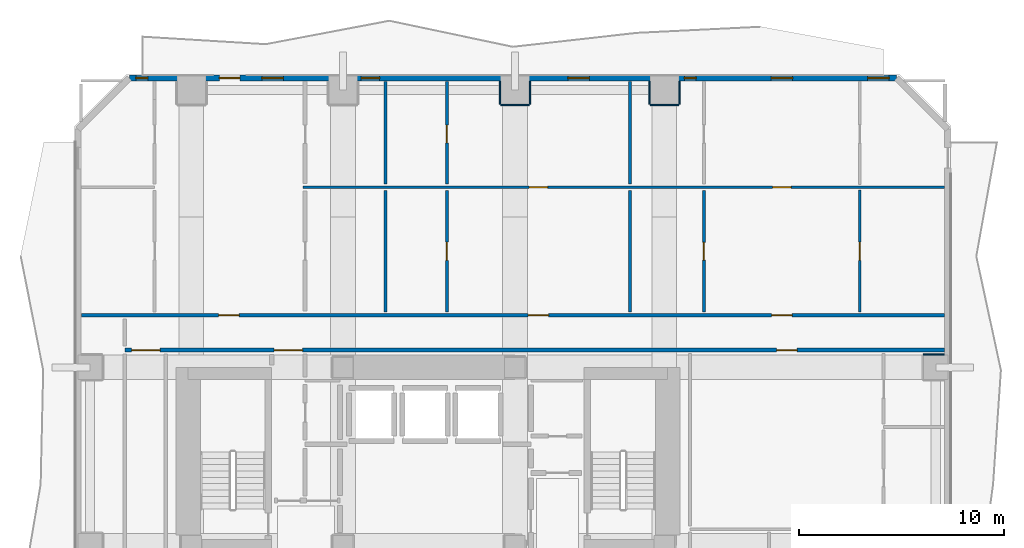
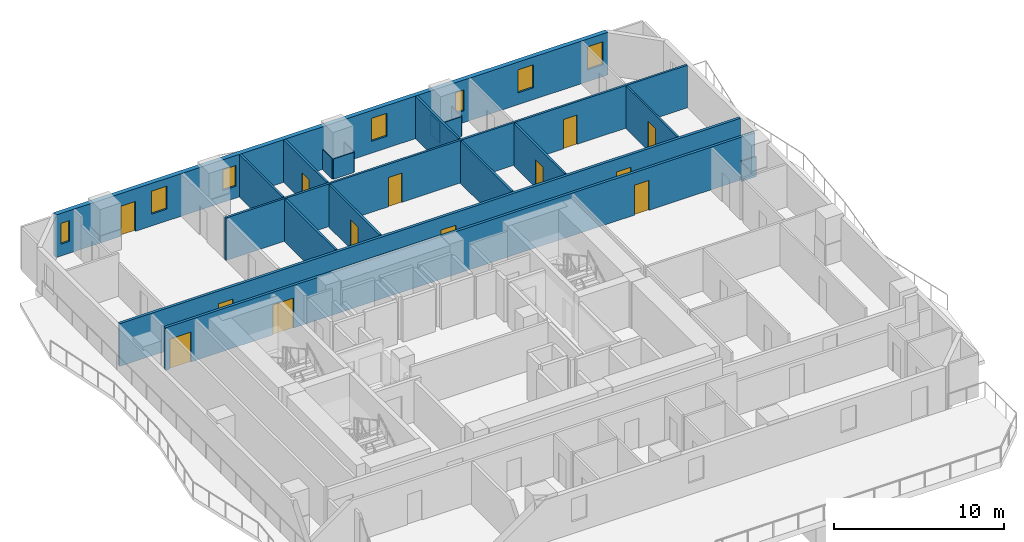
# One storey, part 6 of 11: 19 walls, 13 doors, 7 windows, 20 openings.
"""IFC4 building model written with IfcOpenShell, lengths in metres."""

from ifc_helpers import new_model, si_unit, direction, frame, frame_2d, origin, place, context, subcontext, project, spatial, rectangle, extrude, material, layer, layer_set, type_object, element, fill, save


model = new_model("IFC4")

# Units and contexts
model_context = context("Model", 3, precision=1e-05, world=origin(), true_north=direction((0.0, 1.0)))
body_context = subcontext(model_context, "Body", "Model", "MODEL_VIEW")
ifc_project = project(units=[si_unit("LENGTHUNIT", "METRE"), si_unit("AREAUNIT", "SQUARE_METRE"), si_unit("VOLUMEUNIT", "CUBIC_METRE"), si_unit("PLANEANGLEUNIT", "RADIAN"), si_unit("MASSUNIT", "GRAM", prefix="KILO")], contexts=[model_context])

# Site, building, storey
site_placement = place(None, origin())
site = spatial("IfcSite", under=ifc_project, at=site_placement, CompositionType="ELEMENT")
building_placement = place(site_placement, origin())
building = spatial("IfcBuilding", under=site, at=building_placement, Name="Solanera Arch Residences", CompositionType="ELEMENT")
storey_placement = place(building_placement, frame((0.0, 0.0, 61.840087890625)))
storey = spatial("IfcBuildingStorey", under=building, at=storey_placement, Name="L17", CompositionType="ELEMENT", Elevation=61.840087890625)

# Walls
ifc_material_1 = material(Name="Fire-Rated Gypsum Stud Partition", Category="gypsum")
ifc_layer_1 = layer(ifc_material_1, 0.06005859375)
ifc_layer_set_1 = layer_set([ifc_layer_1], Name="Fire-Rated Gypsum Stud Partition")
wall_type_1 = type_object("IfcWallType", Name="Column Acoustic Furring Wall 60", PredefinedType="PARTITIONING", material=ifc_layer_set_1)
wall_1_placement = place(storey_placement, frame((28.5, 52.218017578125, 0.0), z_axis=(0.0, 0.0, 1.0), x_axis=(1.0, 0.0, 0.0)))
element("IfcWall", 1, at=wall_1_placement, inside=storey, type_object=wall_type_1, Name="L17 Column Furring 14S", PredefinedType="PARTITIONING", context=body_context, shape_type="SweptSolid", body=[
    extrude(rectangle(XDim=1.39990234375, YDim=0.06005859375, at=frame_2d((0.699951171875, 0.0))), origin(), (0.0, 0.0, 1.0), 1.449951171875),
])
for number, where, z_axis, x_axis, name in (
    (2, (28.468017578125, 52.25, 0.0), (0.0, 0.0, 1.0), (0.0, 1.0, 0.0), "L17 Column Furring 14W"),
    (3, (29.931884765625, 52.25, 0.0), (0.0, 0.0, 1.0), (0.0, 1.0, 0.0), "L17 Column Furring 14E"),
):
    element("IfcWall", number, at=place(storey_placement, frame(where, z_axis=z_axis, x_axis=x_axis)), inside=storey, type_object=wall_type_1, Name=name, PredefinedType="PARTITIONING", context=body_context, shape_type="SweptSolid", body=[
        extrude(rectangle(XDim=1.1201171875, YDim=0.06005859375, at=frame_2d((0.56005859375, 0.0))), origin(), (0.0, 0.0, 1.0), 1.449951171875),
    ])
wall_2_placement = place(storey_placement, frame((35.800048828125, 52.218017578125, 0.0), z_axis=(0.0, 0.0, 1.0), x_axis=(1.0, 0.0, 0.0)))
element("IfcWall", 4, at=wall_2_placement, inside=storey, type_object=wall_type_1, Name="L17 Column Furring 16S", PredefinedType="PARTITIONING", context=body_context, shape_type="SweptSolid", body=[
    extrude(rectangle(XDim=1.39990234375, YDim=0.06005859375, at=frame_2d((0.699951171875, 0.0))), origin(), (0.0, 0.0, 1.0), 1.449951171875),
])
for number, where, z_axis, x_axis, name in (
    (5, (35.76806640625, 52.25, 0.0), (0.0, 0.0, 1.0), (0.0, 1.0, 0.0), "L17 Column Furring 16W"),
    (6, (37.23193359375, 52.25, 0.0), (0.0, 0.0, 1.0), (0.0, 1.0, 0.0), "L17 Column Furring 16E"),
):
    element("IfcWall", number, at=place(storey_placement, frame(where, z_axis=z_axis, x_axis=x_axis)), inside=storey, type_object=wall_type_1, Name=name, PredefinedType="PARTITIONING", context=body_context, shape_type="SweptSolid", body=[
        extrude(rectangle(XDim=1.1201171875, YDim=0.06005859375, at=frame_2d((0.56005859375, 0.0))), origin(), (0.0, 0.0, 1.0), 1.449951171875),
    ])
wall_3_placement = place(storey_placement, frame((49.14990234375, 40.031982421875, 0.0), z_axis=(0.0, 0.0, 1.0), x_axis=(1.0, 0.0, 0.0)))
element("IfcWall", 7, at=wall_3_placement, inside=storey, type_object=wall_type_1, Name="L17 Column Furring 22N", PredefinedType="PARTITIONING", context=body_context, shape_type="SweptSolid", body=[
    extrude(rectangle(XDim=1.02001953125, YDim=0.06005859375, at=frame_2d((0.510009765625, 0.0))), origin(), (0.0, 0.0, 1.0), 1.449951171875),
])

# Wall, openings, doors
ifc_material_2 = material(Name="Autoclaved Aerated Concrete Blockwork", Category="masonry")
ifc_layer_2 = layer(ifc_material_2, 0.179931640625)
ifc_layer_set_2 = layer_set([ifc_layer_2], Name="Autoclaved Aerated Concrete Blockwork")
wall_type_2 = type_object("IfcWallType", Name="Corridor Fire Partition 180", PredefinedType="PARTITIONING", material=ifc_layer_set_2)
wall_4_placement = place(storey_placement, frame((10.14990234375, 40.25, 0.0), z_axis=(0.0, 0.0, 1.0), x_axis=(1.0, 0.0, 0.0)))
wall_4 = element("IfcWall", 8, at=wall_4_placement, inside=storey, type_object=wall_type_2, Name="L17 Interior Partition H10", PredefinedType="PARTITIONING", context=body_context, shape_type="SweptSolid", body=[
    extrude(rectangle(XDim=40.023193359375, YDim=0.179931640625, at=frame_2d((20.01171875, 0.0))), origin(), (0.0, 0.0, 1.0), 3.059814453125),
])
opening_1_placement = place(wall_4_placement, frame((7.284912109375, 0.0, 0.0)))
opening_1 = element("IfcOpeningElement", 9, at=opening_1_placement, cuts=wall_4, Name="Opening DF-03", PredefinedType="OPENING", context=body_context, shape_type="SweptSolid", body=[
    extrude(rectangle(XDim=1.39990234375, YDim=2.14990234375, at=frame_2d((0.699951171875, 1.074951171875))), frame((0.0, 0.10009765625, 0.0), z_axis=(0.0, -1.0, 0.0), x_axis=(1.0, 0.0, 0.0)), (0.0, 0.0, 1.0), 0.1999),
])
opening_2_placement = place(wall_4_placement, frame((0.323974609375, 0.0, 0.0)))
opening_2 = element("IfcOpeningElement", 10, at=opening_2_placement, cuts=wall_4, Name="Opening DF-03", PredefinedType="OPENING", context=body_context, shape_type="SweptSolid", body=[
    extrude(rectangle(XDim=1.39990234375, YDim=2.14990234375, at=frame_2d((0.699951171875, 1.074951171875))), frame((0.0, 0.10009765625, 0.0), z_axis=(0.0, -1.0, 0.0), x_axis=(1.0, 0.0, 0.0)), (0.0, 0.0, 1.0), 0.1999),
])
opening_3_placement = place(wall_4_placement, frame((31.824951171875, 0.0, 0.0)))
opening_3 = element("IfcOpeningElement", 11, at=opening_3_placement, cuts=wall_4, Name="Opening DI-01", PredefinedType="OPENING", context=body_context, shape_type="SweptSolid", body=[
    extrude(rectangle(XDim=1.0, YDim=2.14990234375, at=frame_2d((0.5, 1.074951171875))), frame((0.0, 0.10009765625, 0.0), z_axis=(0.0, -1.0, 0.0), x_axis=(1.0, 0.0, 0.0)), (0.0, 0.0, 1.0), 0.1999),
])
ifc_material_3 = material(Name="Fire-Rated Architectural Hardwood", Category="wood")
door_type_1 = type_object("IfcDoorType", Name="Corridor Smoke Door DF-03", OperationType="NOTDEFINED", PredefinedType="DOOR", material=ifc_material_3)
door_1_placement = place(opening_1_placement, origin())
door_1 = element("IfcDoor", 12, at=door_1_placement, inside=storey, type_object=door_type_1, Name="DR-L17-IN-009", OperationType="SINGLE_SWING_LEFT", OverallHeight=2.14990234375, OverallWidth=1.39990234375, PredefinedType="DOOR", context=body_context, shape_type="SweptSolid", body=[
    extrude(rectangle(XDim=1.39990234375, YDim=2.14990234375, at=frame_2d((0.699951171875, 1.074951171875))), frame((0.0, 0.02490234375, 0.0), z_axis=(0.0, -1.0, 0.0), x_axis=(1.0, 0.0, 0.0)), (0.0, 0.0, 1.0), 0.050048828125),
])
fill(opening_1, door_1)
door_2_placement = place(opening_2_placement, origin())
door_2 = element("IfcDoor", 13, at=door_2_placement, inside=storey, type_object=door_type_1, Name="DR-L17-IN-011", OperationType="SINGLE_SWING_LEFT", OverallHeight=2.14990234375, OverallWidth=1.39990234375, PredefinedType="DOOR", context=body_context, shape_type="SweptSolid", body=[
    extrude(rectangle(XDim=1.39990234375, YDim=2.14990234375, at=frame_2d((0.699951171875, 1.074951171875))), frame((0.0, 0.02490234375, 0.0), z_axis=(0.0, -1.0, 0.0), x_axis=(1.0, 0.0, 0.0)), (0.0, 0.0, 1.0), 0.050048828125),
])
fill(opening_2, door_2)
ifc_material_4 = material(Name="Fire-Rated Architectural Hardwood", Category="wood")
door_type_2 = type_object("IfcDoorType", Name="Unit Entrance Fire Door DI-01", OperationType="NOTDEFINED", PredefinedType="DOOR", material=ifc_material_4)
door_3_placement = place(opening_3_placement, origin())
door_3 = element("IfcDoor", 14, at=door_3_placement, inside=storey, type_object=door_type_2, Name="DR-L17-IN-046", OperationType="SINGLE_SWING_RIGHT", OverallHeight=2.14990234375, OverallWidth=1.0, PredefinedType="DOOR", context=body_context, shape_type="SweptSolid", body=[
    extrude(rectangle(XDim=1.0, YDim=2.14990234375, at=frame_2d((0.5, 1.074951171875))), frame((0.0, 0.02490234375, 0.0), z_axis=(0.0, -1.0, 0.0), x_axis=(1.0, 0.0, 0.0)), (0.0, 0.0, 1.0), 0.050048828125),
])
fill(opening_3, door_3)

wall_5_placement = place(storey_placement, frame((8.027099609375, 41.949951171875, 0.0), z_axis=(0.0, 0.0, 1.0), x_axis=(1.0, 0.0, 0.0)))
wall_5 = element("IfcWall", 15, at=wall_5_placement, inside=storey, type_object=wall_type_2, Name="L17 Interior Partition H11", PredefinedType="PARTITIONING", context=body_context, shape_type="SweptSolid", body=[
    extrude(rectangle(XDim=42.14599609375, YDim=0.179931640625, at=frame_2d((21.072998046875, 0.0))), origin(), (0.0, 0.0, 1.0), 3.059814453125),
])
opening_4_placement = place(wall_5_placement, frame((6.702880859375, 0.0, 0.0)))
opening_4 = element("IfcOpeningElement", 16, at=opening_4_placement, cuts=wall_5, Name="Opening DI-01", PredefinedType="OPENING", context=body_context, shape_type="SweptSolid", body=[
    extrude(rectangle(XDim=1.0, YDim=2.14990234375, at=frame_2d((0.5, 1.074951171875))), frame((0.0, 0.10009765625, 0.0), z_axis=(0.0, -1.0, 0.0), x_axis=(1.0, 0.0, 0.0)), (0.0, 0.0, 1.0), 0.1999),
])
opening_5_placement = place(wall_5_placement, frame((21.820068359375, 0.0, 0.0)))
opening_5 = element("IfcOpeningElement", 17, at=opening_5_placement, cuts=wall_5, Name="Opening DI-01", PredefinedType="OPENING", context=body_context, shape_type="SweptSolid", body=[
    extrude(rectangle(XDim=1.0, YDim=2.14990234375, at=frame_2d((0.5, 1.074951171875))), frame((0.0, 0.10009765625, 0.0), z_axis=(0.0, -1.0, 0.0), x_axis=(1.0, 0.0, 0.0)), (0.0, 0.0, 1.0), 0.1999),
])
opening_6_placement = place(wall_5_placement, frame((33.7080078125, 0.0, 0.0)))
opening_6 = element("IfcOpeningElement", 18, at=opening_6_placement, cuts=wall_5, Name="Opening DI-01", PredefinedType="OPENING", context=body_context, shape_type="SweptSolid", body=[
    extrude(rectangle(XDim=1.0, YDim=2.14990234375, at=frame_2d((0.5, 1.074951171875))), frame((0.0, 0.10009765625, 0.0), z_axis=(0.0, -1.0, 0.0), x_axis=(1.0, 0.0, 0.0)), (0.0, 0.0, 1.0), 0.1999),
])
door_4_placement = place(opening_4_placement, origin())
door_4 = element("IfcDoor", 19, at=door_4_placement, inside=storey, type_object=door_type_2, Name="DR-L17-IN-027", OperationType="SINGLE_SWING_LEFT", OverallHeight=2.14990234375, OverallWidth=1.0, PredefinedType="DOOR", context=body_context, shape_type="SweptSolid", body=[
    extrude(rectangle(XDim=1.0, YDim=2.14990234375, at=frame_2d((0.5, 1.074951171875))), frame((0.0, 0.02490234375, 0.0), z_axis=(0.0, -1.0, 0.0), x_axis=(1.0, 0.0, 0.0)), (0.0, 0.0, 1.0), 0.050048828125),
])
fill(opening_4, door_4)
door_5_placement = place(opening_5_placement, origin())
door_5 = element("IfcDoor", 20, at=door_5_placement, inside=storey, type_object=door_type_2, Name="DR-L17-IN-032", OperationType="SINGLE_SWING_RIGHT", OverallHeight=2.14990234375, OverallWidth=1.0, PredefinedType="DOOR", context=body_context, shape_type="SweptSolid", body=[
    extrude(rectangle(XDim=1.0, YDim=2.14990234375, at=frame_2d((0.5, 1.074951171875))), frame((0.0, 0.02490234375, 0.0), z_axis=(0.0, -1.0, 0.0), x_axis=(1.0, 0.0, 0.0)), (0.0, 0.0, 1.0), 0.050048828125),
])
fill(opening_5, door_5)
door_6_placement = place(opening_6_placement, origin())
door_6 = element("IfcDoor", 21, at=door_6_placement, inside=storey, type_object=door_type_2, Name="DR-L17-IN-036", OperationType="SINGLE_SWING_RIGHT", OverallHeight=2.14990234375, OverallWidth=1.0, PredefinedType="DOOR", context=body_context, shape_type="SweptSolid", body=[
    extrude(rectangle(XDim=1.0, YDim=2.14990234375, at=frame_2d((0.5, 1.074951171875))), frame((0.0, 0.02490234375, 0.0), z_axis=(0.0, -1.0, 0.0), x_axis=(1.0, 0.0, 0.0)), (0.0, 0.0, 1.0), 0.050048828125),
])
fill(opening_6, door_6)

# Wall, openings, door, windows
ifc_material_5 = material(Name="Precast Concrete C35/45", Category="concrete")
ifc_layer_3 = layer(ifc_material_5, 0.300048828125)
ifc_layer_set_3 = layer_set([ifc_layer_3], Name="Precast Concrete C35/45")
wall_type_3 = type_object("IfcWallType", Name="Exterior Wall Precast Masonry-Frame 300", PredefinedType="STANDARD", material=ifc_layer_set_3)
wall_6_placement = place(storey_placement, frame((10.364990234375, 53.534912109375, 0.0), z_axis=(0.0, 0.0, 1.0), x_axis=(1.0, 0.0, 0.0)))
wall_6 = element("IfcWall", 22, at=wall_6_placement, inside=storey, type_object=wall_type_3, Name="L17 Tower Exterior Precast Masonry-Frame Wall N", PredefinedType="STANDARD", context=body_context, shape_type="SweptSolid", body=[
    extrude(rectangle(XDim=37.469970703125, YDim=0.300048828125, at=frame_2d((18.73486328125, 0.0))), origin(), (0.0, 0.0, 1.0), 3.059814453125),
])
opening_7_placement = place(wall_6_placement, frame((4.403076171875, 0.0, 0.0)))
opening_7 = element("IfcOpeningElement", 23, at=opening_7_placement, cuts=wall_6, Name="Opening DB-01", PredefinedType="OPENING", context=body_context, shape_type="SweptSolid", body=[
    extrude(rectangle(XDim=1.0, YDim=2.14990234375, at=frame_2d((0.5, 1.074951171875))), frame((0.0, 0.159912109375, 0.0), z_axis=(0.0, -1.0, 0.0), x_axis=(1.0, 0.0, 0.0)), (0.0, 0.0, 1.0), 0.32),
])
opening_8_placement = place(wall_6_placement, frame((6.471923828125, 0.0, 0.85009765625)))
opening_8 = element("IfcOpeningElement", 24, at=opening_8_placement, cuts=wall_6, Name="Opening W-07", PredefinedType="OPENING", context=body_context, shape_type="SweptSolid", body=[
    extrude(rectangle(XDim=1.050048828125, YDim=1.64990234375, at=frame_2d((0.52490234375, 0.824951171875))), frame((0.0, 0.159912109375, 0.0), z_axis=(0.0, -1.0, 0.0), x_axis=(1.0, 0.0, 0.0)), (0.0, 0.0, 1.0), 0.32),
])
opening_9_placement = place(wall_6_placement, frame((0.323974609375, 0.0, 0.85009765625)))
opening_9 = element("IfcOpeningElement", 25, at=opening_9_placement, cuts=wall_6, Name="Opening W-14", PredefinedType="OPENING", context=body_context, shape_type="SweptSolid", body=[
    extrude(rectangle(XDim=0.580078125, YDim=1.5, at=frame_2d((0.2900390625, 0.75))), frame((0.0, 0.159912109375, 0.0), z_axis=(0.0, -1.0, 0.0), x_axis=(1.0, 0.0, 0.0)), (0.0, 0.0, 1.0), 0.32),
])
opening_10_placement = place(wall_6_placement, frame((11.322021484375, 0.0, 0.85009765625)))
opening_10 = element("IfcOpeningElement", 26, at=opening_10_placement, cuts=wall_6, Name="Opening W-06", PredefinedType="OPENING", context=body_context, shape_type="SweptSolid", body=[
    extrude(rectangle(XDim=0.89990234375, YDim=1.5, at=frame_2d((0.449951171875, 0.75))), frame((0.0, 0.159912109375, 0.0), z_axis=(0.0, -1.0, 0.0), x_axis=(1.0, 0.0, 0.0)), (0.0, 0.0, 1.0), 0.32),
])
opening_11_placement = place(wall_6_placement, frame((21.419921875, 0.0, 0.85009765625)))
opening_11 = element("IfcOpeningElement", 27, at=opening_11_placement, cuts=wall_6, Name="Opening W-07", PredefinedType="OPENING", context=body_context, shape_type="SweptSolid", body=[
    extrude(rectangle(XDim=1.050048828125, YDim=1.64990234375, at=frame_2d((0.52490234375, 0.824951171875))), frame((0.0, 0.159912109375, 0.0), z_axis=(0.0, -1.0, 0.0), x_axis=(1.0, 0.0, 0.0)), (0.0, 0.0, 1.0), 0.32),
])
opening_12_placement = place(wall_6_placement, frame((31.345947265625, 0.0, 0.85009765625)))
opening_12 = element("IfcOpeningElement", 28, at=opening_12_placement, cuts=wall_6, Name="Opening W-07", PredefinedType="OPENING", context=body_context, shape_type="SweptSolid", body=[
    extrude(rectangle(XDim=1.050048828125, YDim=1.64990234375, at=frame_2d((0.52490234375, 0.824951171875))), frame((0.0, 0.159912109375, 0.0), z_axis=(0.0, -1.0, 0.0), x_axis=(1.0, 0.0, 0.0)), (0.0, 0.0, 1.0), 0.32),
])
opening_13_placement = place(wall_6_placement, frame((27.10693359375, 0.0, 0.85009765625)))
opening_13 = element("IfcOpeningElement", 29, at=opening_13_placement, cuts=wall_6, Name="Opening W-14", PredefinedType="OPENING", context=body_context, shape_type="SweptSolid", body=[
    extrude(rectangle(XDim=0.580078125, YDim=1.5, at=frame_2d((0.2900390625, 0.75))), frame((0.0, 0.159912109375, 0.0), z_axis=(0.0, -1.0, 0.0), x_axis=(1.0, 0.0, 0.0)), (0.0, 0.0, 1.0), 0.32),
])
opening_14_placement = place(wall_6_placement, frame((36.055908203125, 0.0, 0.85009765625)))
opening_14 = element("IfcOpeningElement", 30, at=opening_14_placement, cuts=wall_6, Name="Opening W-07", PredefinedType="OPENING", context=body_context, shape_type="SweptSolid", body=[
    extrude(rectangle(XDim=1.050048828125, YDim=1.64990234375, at=frame_2d((0.52490234375, 0.824951171875))), frame((0.0, 0.159912109375, 0.0), z_axis=(0.0, -1.0, 0.0), x_axis=(1.0, 0.0, 0.0)), (0.0, 0.0, 1.0), 0.32),
])
ifc_material_6 = material(Name="Anodised Aluminium Alloy 6063-T6", Category="aluminium")
door_type_3 = type_object("IfcDoorType", Name="Glazed Balcony Swing Door DB-01", OperationType="NOTDEFINED", PredefinedType="DOOR", material=ifc_material_6)
door_7_placement = place(opening_7_placement, origin())
door_7 = element("IfcDoor", 31, at=door_7_placement, inside=storey, type_object=door_type_3, Name="DR-L17-OUT-02", OperationType="SINGLE_SWING_RIGHT", OverallHeight=2.14990234375, OverallWidth=1.0, PredefinedType="DOOR", context=body_context, shape_type="SweptSolid", body=[
    extrude(rectangle(XDim=1.0, YDim=2.14990234375, at=frame_2d((0.5, 1.074951171875))), frame((0.0, 0.02490234375, 0.0), z_axis=(0.0, -1.0, 0.0), x_axis=(1.0, 0.0, 0.0)), (0.0, 0.0, 1.0), 0.050048828125),
])
fill(opening_7, door_7)
ifc_material_7 = material(Name="Double Glazed Low-E Laminated Glass", Category="glass")
window_type_1 = type_object("IfcWindowType", Name="Punched Window W-06", PartitioningType="SINGLE_PANEL", PredefinedType="WINDOW", material=ifc_material_7)
window_1_placement = place(opening_10_placement, origin())
window_1 = element("IfcWindow", 32, at=window_1_placement, inside=storey, type_object=window_type_1, Name="L17 1705-STD Punched Window", OverallHeight=1.5, OverallWidth=0.89990234375, PartitioningType="SINGLE_PANEL", PredefinedType="WINDOW", context=body_context, shape_type="SweptSolid", body=[
    extrude(rectangle(XDim=0.89990234375, YDim=1.5, at=frame_2d((0.449951171875, 0.75))), frame((0.0, 0.030029296875, 0.0), z_axis=(0.0, -1.0, 0.0), x_axis=(1.0, 0.0, 0.0)), (0.0, 0.0, 1.0), 0.06005859375),
])
fill(opening_10, window_1)
ifc_material_8 = material(Name="Double Glazed Low-E Laminated Glass", Category="glass")
window_type_2 = type_object("IfcWindowType", Name="Punched Window W-07", PartitioningType="SINGLE_PANEL", PredefinedType="WINDOW", material=ifc_material_8)
window_2_placement = place(opening_8_placement, origin())
window_2 = element("IfcWindow", 33, at=window_2_placement, inside=storey, type_object=window_type_2, Name="L17 1705-LIV Punched Window", OverallHeight=1.64990234375, OverallWidth=1.050048828125, PartitioningType="SINGLE_PANEL", PredefinedType="WINDOW", context=body_context, shape_type="SweptSolid", body=[
    extrude(rectangle(XDim=1.050048828125, YDim=1.64990234375, at=frame_2d((0.52490234375, 0.824951171875))), frame((0.0, 0.030029296875, 0.0), z_axis=(0.0, -1.0, 0.0), x_axis=(1.0, 0.0, 0.0)), (0.0, 0.0, 1.0), 0.06005859375),
])
fill(opening_8, window_2)
window_3_placement = place(opening_11_placement, origin())
window_3 = element("IfcWindow", 34, at=window_3_placement, inside=storey, type_object=window_type_2, Name="L17 1706-LIV Punched Window", OverallHeight=1.64990234375, OverallWidth=1.050048828125, PartitioningType="SINGLE_PANEL", PredefinedType="WINDOW", context=body_context, shape_type="SweptSolid", body=[
    extrude(rectangle(XDim=1.050048828125, YDim=1.64990234375, at=frame_2d((0.52490234375, 0.824951171875))), frame((0.0, 0.030029296875, 0.0), z_axis=(0.0, -1.0, 0.0), x_axis=(1.0, 0.0, 0.0)), (0.0, 0.0, 1.0), 0.06005859375),
])
fill(opening_11, window_3)
window_4_placement = place(opening_12_placement, origin())
window_4 = element("IfcWindow", 35, at=window_4_placement, inside=storey, type_object=window_type_2, Name="L17 1707-LIV Punched Window", OverallHeight=1.64990234375, OverallWidth=1.050048828125, PartitioningType="SINGLE_PANEL", PredefinedType="WINDOW", context=body_context, shape_type="SweptSolid", body=[
    extrude(rectangle(XDim=1.050048828125, YDim=1.64990234375, at=frame_2d((0.52490234375, 0.824951171875))), frame((0.0, 0.030029296875, 0.0), z_axis=(0.0, -1.0, 0.0), x_axis=(1.0, 0.0, 0.0)), (0.0, 0.0, 1.0), 0.06005859375),
])
fill(opening_12, window_4)
window_5_placement = place(opening_14_placement, origin())
window_5 = element("IfcWindow", 36, at=window_5_placement, inside=storey, type_object=window_type_2, Name="L17 1707-STD Punched Window", OverallHeight=1.64990234375, OverallWidth=1.050048828125, PartitioningType="SINGLE_PANEL", PredefinedType="WINDOW", context=body_context, shape_type="SweptSolid", body=[
    extrude(rectangle(XDim=1.050048828125, YDim=1.64990234375, at=frame_2d((0.52490234375, 0.824951171875))), frame((0.0, 0.030029296875, 0.0), z_axis=(0.0, -1.0, 0.0), x_axis=(1.0, 0.0, 0.0)), (0.0, 0.0, 1.0), 0.06005859375),
])
fill(opening_14, window_5)
ifc_material_9 = material(Name="Double Glazed Low-E Laminated Glass", Category="glass")
window_type_3 = type_object("IfcWindowType", Name="Punched Window W-14", PartitioningType="SINGLE_PANEL", PredefinedType="WINDOW", material=ifc_material_9)
window_6_placement = place(opening_9_placement, origin())
window_6 = element("IfcWindow", 37, at=window_6_placement, inside=storey, type_object=window_type_3, Name="L17 1705-BR1 Punched Window", OverallHeight=1.5, OverallWidth=0.580078125, PartitioningType="SINGLE_PANEL", PredefinedType="WINDOW", context=body_context, shape_type="SweptSolid", body=[
    extrude(rectangle(XDim=0.580078125, YDim=1.5, at=frame_2d((0.2900390625, 0.75))), frame((0.0, 0.030029296875, 0.0), z_axis=(0.0, -1.0, 0.0), x_axis=(1.0, 0.0, 0.0)), (0.0, 0.0, 1.0), 0.06005859375),
])
fill(opening_9, window_6)
window_7_placement = place(opening_13_placement, origin())
window_7 = element("IfcWindow", 38, at=window_7_placement, inside=storey, type_object=window_type_3, Name="L17 1707-BR1 Punched Window", OverallHeight=1.5, OverallWidth=0.580078125, PartitioningType="SINGLE_PANEL", PredefinedType="WINDOW", context=body_context, shape_type="SweptSolid", body=[
    extrude(rectangle(XDim=0.580078125, YDim=1.5, at=frame_2d((0.2900390625, 0.75))), frame((0.0, 0.030029296875, 0.0), z_axis=(0.0, -1.0, 0.0), x_axis=(1.0, 0.0, 0.0)), (0.0, 0.0, 1.0), 0.06005859375),
])
fill(opening_13, window_7)

# Wall, opening, door
ifc_material_10 = material(Name="Fire-Rated Gypsum Stud Partition", Category="gypsum")
ifc_layer_4 = layer(ifc_material_10, 0.1201171875)
ifc_layer_set_4 = layer_set([ifc_layer_4], Name="Fire-Rated Gypsum Stud Partition")
wall_type_4 = type_object("IfcWallType", Name="Unit Drywall Partition 120", PredefinedType="PARTITIONING", material=ifc_layer_set_4)
wall_7_placement = place(storey_placement, frame((46.047119140625, 42.10791015625, 0.0), z_axis=(0.0, 0.0, 1.0), x_axis=(0.0, 1.0, 0.0)))
wall_7 = element("IfcWall", 39, at=wall_7_placement, inside=storey, type_object=wall_type_4, Name="L17 Interior Partition V28 1", PredefinedType="PARTITIONING", context=body_context, shape_type="SweptSolid", body=[
    extrude(rectangle(XDim=5.9541015625, YDim=0.1201171875, at=frame_2d((2.97705078125, 0.0))), origin(), (0.0, 0.0, 1.0), 3.059814453125),
])
opening_15_placement = place(wall_7_placement, frame((2.51708984375, 0.0, 0.0)))
opening_15 = element("IfcOpeningElement", 40, at=opening_15_placement, cuts=wall_7, Name="Opening DI-02", PredefinedType="OPENING", context=body_context, shape_type="SweptSolid", body=[
    extrude(rectangle(XDim=0.89990234375, YDim=2.10009765625, at=frame_2d((0.449951171875, 1.050048828125))), frame((0.0, 0.070068359375, 0.0), z_axis=(0.0, -1.0, 0.0), x_axis=(1.0, 0.0, 0.0)), (0.0, 0.0, 1.0), 0.1401),
])
ifc_material_11 = material(Name="Fire-Rated Architectural Hardwood", Category="wood")
door_type_4 = type_object("IfcDoorType", Name="Suite Room Swing Door DI-02", OperationType="NOTDEFINED", PredefinedType="DOOR", material=ifc_material_11)
door_8_placement = place(opening_15_placement, origin())
door_8 = element("IfcDoor", 41, at=door_8_placement, inside=storey, type_object=door_type_4, Name="DR-L17-IN-040", OperationType="SINGLE_SWING_RIGHT", OverallHeight=2.10009765625, OverallWidth=0.89990234375, PredefinedType="DOOR", context=body_context, shape_type="SweptSolid", body=[
    extrude(rectangle(XDim=0.89990234375, YDim=2.10009765625, at=frame_2d((0.449951171875, 1.050048828125))), frame((0.0, 0.02490234375, 0.0), z_axis=(0.0, -1.0, 0.0), x_axis=(1.0, 0.0, 0.0)), (0.0, 0.0, 1.0), 0.050048828125),
])
fill(opening_15, door_8)

# Wall, openings, doors
ifc_material_12 = material(Name="Autoclaved Aerated Concrete Blockwork", Category="masonry")
ifc_layer_5 = layer(ifc_material_12, 0.139892578125)
ifc_layer_set_5 = layer_set([ifc_layer_5], Name="Autoclaved Aerated Concrete Blockwork")
wall_type_5 = type_object("IfcWallType", Name="Wet-Room Partition 140", PredefinedType="PARTITIONING", material=ifc_layer_set_5)
wall_8_placement = place(storey_placement, frame((18.85693359375, 48.199951171875, 0.0), z_axis=(0.0, 0.0, 1.0), x_axis=(1.0, 0.0, 0.0)))
wall_8 = element("IfcWall", 42, at=wall_8_placement, inside=storey, type_object=wall_type_5, Name="L17 Interior Partition H23", PredefinedType="PARTITIONING", context=body_context, shape_type="SweptSolid", body=[
    extrude(rectangle(XDim=31.316162109375, YDim=0.139892578125, at=frame_2d((15.658203125, 0.0))), origin(), (0.0, 0.0, 1.0), 3.059814453125),
])
opening_16_placement = place(wall_8_placement, frame((11.0400390625, 0.0, 0.0)))
opening_16 = element("IfcOpeningElement", 43, at=opening_16_placement, cuts=wall_8, Name="Opening DI-02", PredefinedType="OPENING", context=body_context, shape_type="SweptSolid", body=[
    extrude(rectangle(XDim=0.89990234375, YDim=2.10009765625, at=frame_2d((0.449951171875, 1.050048828125))), frame((0.0, 0.079833984375, 0.0), z_axis=(0.0, -1.0, 0.0), x_axis=(1.0, 0.0, 0.0)), (0.0, 0.0, 1.0), 0.1599),
])
opening_17_placement = place(wall_8_placement, frame((22.927978515625, 0.0, 0.0)))
opening_17 = element("IfcOpeningElement", 44, at=opening_17_placement, cuts=wall_8, Name="Opening DI-02", PredefinedType="OPENING", context=body_context, shape_type="SweptSolid", body=[
    extrude(rectangle(XDim=0.89990234375, YDim=2.10009765625, at=frame_2d((0.449951171875, 1.050048828125))), frame((0.0, 0.079833984375, 0.0), z_axis=(0.0, -1.0, 0.0), x_axis=(1.0, 0.0, 0.0)), (0.0, 0.0, 1.0), 0.1599),
])
door_9_placement = place(opening_16_placement, origin())
door_9 = element("IfcDoor", 45, at=door_9_placement, inside=storey, type_object=door_type_4, Name="DR-L17-IN-033", OperationType="SINGLE_SWING_LEFT", OverallHeight=2.10009765625, OverallWidth=0.89990234375, PredefinedType="DOOR", context=body_context, shape_type="SweptSolid", body=[
    extrude(rectangle(XDim=0.89990234375, YDim=2.10009765625, at=frame_2d((0.449951171875, 1.050048828125))), frame((0.0, 0.02490234375, 0.0), z_axis=(0.0, -1.0, 0.0), x_axis=(1.0, 0.0, 0.0)), (0.0, 0.0, 1.0), 0.050048828125),
])
fill(opening_16, door_9)
door_10_placement = place(opening_17_placement, origin())
door_10 = element("IfcDoor", 46, at=door_10_placement, inside=storey, type_object=door_type_4, Name="DR-L17-IN-037", OperationType="SINGLE_SWING_LEFT", OverallHeight=2.10009765625, OverallWidth=0.89990234375, PredefinedType="DOOR", context=body_context, shape_type="SweptSolid", body=[
    extrude(rectangle(XDim=0.89990234375, YDim=2.10009765625, at=frame_2d((0.449951171875, 1.050048828125))), frame((0.0, 0.02490234375, 0.0), z_axis=(0.0, -1.0, 0.0), x_axis=(1.0, 0.0, 0.0)), (0.0, 0.0, 1.0), 0.050048828125),
])
fill(opening_17, door_10)

# Walls
wall_9_placement = place(storey_placement, frame((22.873046875, 42.117919921875, 0.0), z_axis=(0.0, 0.0, 1.0), x_axis=(0.0, 1.0, 0.0)))
element("IfcWall", 47, at=wall_9_placement, inside=storey, type_object=wall_type_5, Name="L17 Interior Partition V16 1", PredefinedType="PARTITIONING", context=body_context, shape_type="SweptSolid", body=[
    extrude(rectangle(XDim=5.93408203125, YDim=0.139892578125, at=frame_2d((2.967041015625, 0.0))), origin(), (0.0, 0.0, 1.0), 3.059814453125),
])
wall_10_placement = place(storey_placement, frame((22.873046875, 48.347900390625, 0.0), z_axis=(0.0, 0.0, 1.0), x_axis=(0.0, 1.0, 0.0)))
element("IfcWall", 48, at=wall_10_placement, inside=storey, type_object=wall_type_5, Name="L17 Interior Partition V16 2", PredefinedType="PARTITIONING", context=body_context, shape_type="SweptSolid", body=[
    extrude(rectangle(XDim=5.025146484375, YDim=0.139892578125, at=frame_2d((2.5126953125, 0.0))), origin(), (0.0, 0.0, 1.0), 3.059814453125),
])

# Wall, opening, door
wall_11_placement = place(storey_placement, frame((25.873046875, 42.117919921875, 0.0), z_axis=(0.0, 0.0, 1.0), x_axis=(0.0, 1.0, 0.0)))
wall_11 = element("IfcWall", 49, at=wall_11_placement, inside=storey, type_object=wall_type_5, Name="L17 Interior Partition V18 1", PredefinedType="PARTITIONING", context=body_context, shape_type="SweptSolid", body=[
    extrude(rectangle(XDim=5.93408203125, YDim=0.139892578125, at=frame_2d((2.967041015625, 0.0))), origin(), (0.0, 0.0, 1.0), 3.059814453125),
])
opening_18_placement = place(wall_11_placement, frame((2.507080078125, 0.0, 0.0)))
opening_18 = element("IfcOpeningElement", 50, at=opening_18_placement, cuts=wall_11, Name="Opening DI-02", PredefinedType="OPENING", context=body_context, shape_type="SweptSolid", body=[
    extrude(rectangle(XDim=0.89990234375, YDim=2.10009765625, at=frame_2d((0.449951171875, 1.050048828125))), frame((0.0, 0.079833984375, 0.0), z_axis=(0.0, -1.0, 0.0), x_axis=(1.0, 0.0, 0.0)), (0.0, 0.0, 1.0), 0.1599),
])
door_11_placement = place(opening_18_placement, origin())
door_11 = element("IfcDoor", 51, at=door_11_placement, inside=storey, type_object=door_type_4, Name="DR-L17-IN-034", OperationType="SINGLE_SWING_RIGHT", OverallHeight=2.10009765625, OverallWidth=0.89990234375, PredefinedType="DOOR", context=body_context, shape_type="SweptSolid", body=[
    extrude(rectangle(XDim=0.89990234375, YDim=2.10009765625, at=frame_2d((0.449951171875, 1.050048828125))), frame((0.0, 0.02490234375, 0.0), z_axis=(0.0, -1.0, 0.0), x_axis=(1.0, 0.0, 0.0)), (0.0, 0.0, 1.0), 0.050048828125),
])
fill(opening_18, door_11)

wall_12_placement = place(storey_placement, frame((25.873046875, 48.347900390625, 0.0), z_axis=(0.0, 0.0, 1.0), x_axis=(0.0, 1.0, 0.0)))
wall_12 = element("IfcWall", 52, at=wall_12_placement, inside=storey, type_object=wall_type_5, Name="L17 Interior Partition V18 2", PredefinedType="PARTITIONING", context=body_context, shape_type="SweptSolid", body=[
    extrude(rectangle(XDim=5.025146484375, YDim=0.139892578125, at=frame_2d((2.5126953125, 0.0))), origin(), (0.0, 0.0, 1.0), 3.059814453125),
])
opening_19_placement = place(wall_12_placement, frame((2.02197265625, 0.0, 0.0)))
opening_19 = element("IfcOpeningElement", 53, at=opening_19_placement, cuts=wall_12, Name="Opening DI-05", PredefinedType="OPENING", context=body_context, shape_type="SweptSolid", body=[
    extrude(rectangle(XDim=0.860107421875, YDim=2.02001953125, at=frame_2d((0.43017578125, 1.010009765625))), frame((0.0, 0.079833984375, 0.0), z_axis=(0.0, -1.0, 0.0), x_axis=(1.0, 0.0, 0.0)), (0.0, 0.0, 1.0), 0.1599),
])
ifc_material_13 = material(Name="Fire-Rated Architectural Hardwood", Category="wood")
door_type_5 = type_object("IfcDoorType", Name="Bathroom Swing Door DI-05", OperationType="NOTDEFINED", PredefinedType="DOOR", material=ifc_material_13)
door_12_placement = place(opening_19_placement, origin())
door_12 = element("IfcDoor", 54, at=door_12_placement, inside=storey, type_object=door_type_5, Name="DR-L17-IN-035", OperationType="SINGLE_SWING_LEFT", OverallHeight=2.02001953125, OverallWidth=0.860107421875, PredefinedType="DOOR", context=body_context, shape_type="SweptSolid", body=[
    extrude(rectangle(XDim=0.860107421875, YDim=2.02001953125, at=frame_2d((0.43017578125, 1.010009765625))), frame((0.0, 0.02490234375, 0.0), z_axis=(0.0, -1.0, 0.0), x_axis=(1.0, 0.0, 0.0)), (0.0, 0.0, 1.0), 0.050048828125),
])
fill(opening_19, door_12)

# Walls
wall_13_placement = place(storey_placement, frame((34.820068359375, 42.117919921875, 0.0), z_axis=(0.0, 0.0, 1.0), x_axis=(0.0, 1.0, 0.0)))
element("IfcWall", 55, at=wall_13_placement, inside=storey, type_object=wall_type_5, Name="L17 Interior Partition V22 1", PredefinedType="PARTITIONING", context=body_context, shape_type="SweptSolid", body=[
    extrude(rectangle(XDim=5.93408203125, YDim=0.139892578125, at=frame_2d((2.967041015625, 0.0))), origin(), (0.0, 0.0, 1.0), 3.059814453125),
])
wall_14_placement = place(storey_placement, frame((34.820068359375, 48.347900390625, 0.0), z_axis=(0.0, 0.0, 1.0), x_axis=(0.0, 1.0, 0.0)))
element("IfcWall", 56, at=wall_14_placement, inside=storey, type_object=wall_type_5, Name="L17 Interior Partition V22 2", PredefinedType="PARTITIONING", context=body_context, shape_type="SweptSolid", body=[
    extrude(rectangle(XDim=5.025146484375, YDim=0.139892578125, at=frame_2d((2.5126953125, 0.0))), origin(), (0.0, 0.0, 1.0), 3.059814453125),
])

# Wall, opening, door
wall_15_placement = place(storey_placement, frame((38.424072265625, 42.117919921875, 0.0), z_axis=(0.0, 0.0, 1.0), x_axis=(0.0, 1.0, 0.0)))
wall_15 = element("IfcWall", 57, at=wall_15_placement, inside=storey, type_object=wall_type_5, Name="L17 Interior Partition V24 1", PredefinedType="PARTITIONING", context=body_context, shape_type="SweptSolid", body=[
    extrude(rectangle(XDim=5.93408203125, YDim=0.139892578125, at=frame_2d((2.967041015625, 0.0))), origin(), (0.0, 0.0, 1.0), 3.059814453125),
])
opening_20_placement = place(wall_15_placement, frame((2.527099609375, 0.0, 0.0)))
opening_20 = element("IfcOpeningElement", 58, at=opening_20_placement, cuts=wall_15, Name="Opening DI-05", PredefinedType="OPENING", context=body_context, shape_type="SweptSolid", body=[
    extrude(rectangle(XDim=0.860107421875, YDim=2.02001953125, at=frame_2d((0.43017578125, 1.010009765625))), frame((0.0, 0.079833984375, 0.0), z_axis=(0.0, -1.0, 0.0), x_axis=(1.0, 0.0, 0.0)), (0.0, 0.0, 1.0), 0.1599),
])
door_13_placement = place(opening_20_placement, origin())
door_13 = element("IfcDoor", 59, at=door_13_placement, inside=storey, type_object=door_type_5, Name="DR-L17-IN-038", OperationType="SINGLE_SWING_RIGHT", OverallHeight=2.02001953125, OverallWidth=0.860107421875, PredefinedType="DOOR", context=body_context, shape_type="SweptSolid", body=[
    extrude(rectangle(XDim=0.860107421875, YDim=2.02001953125, at=frame_2d((0.43017578125, 1.010009765625))), frame((0.0, 0.02490234375, 0.0), z_axis=(0.0, -1.0, 0.0), x_axis=(1.0, 0.0, 0.0)), (0.0, 0.0, 1.0), 0.050048828125),
])
fill(opening_20, door_13)

save(model, "model.ifc")
